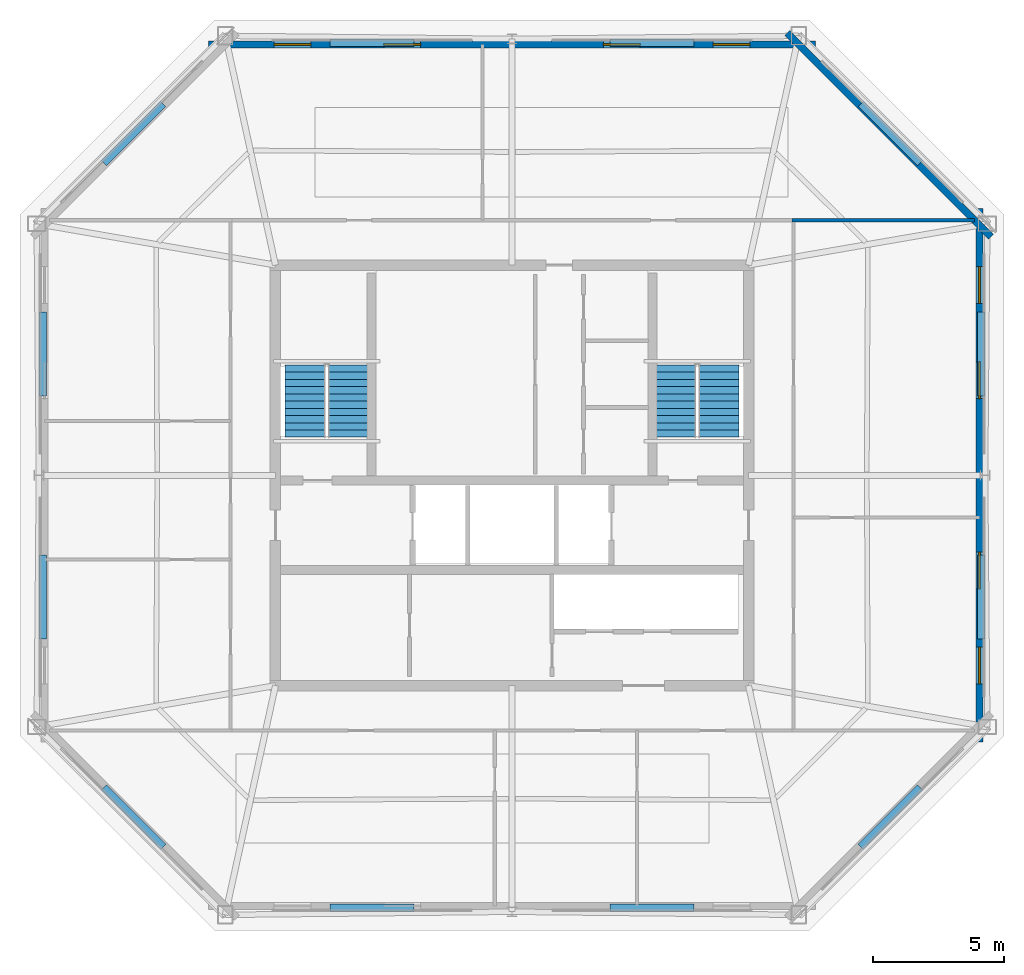
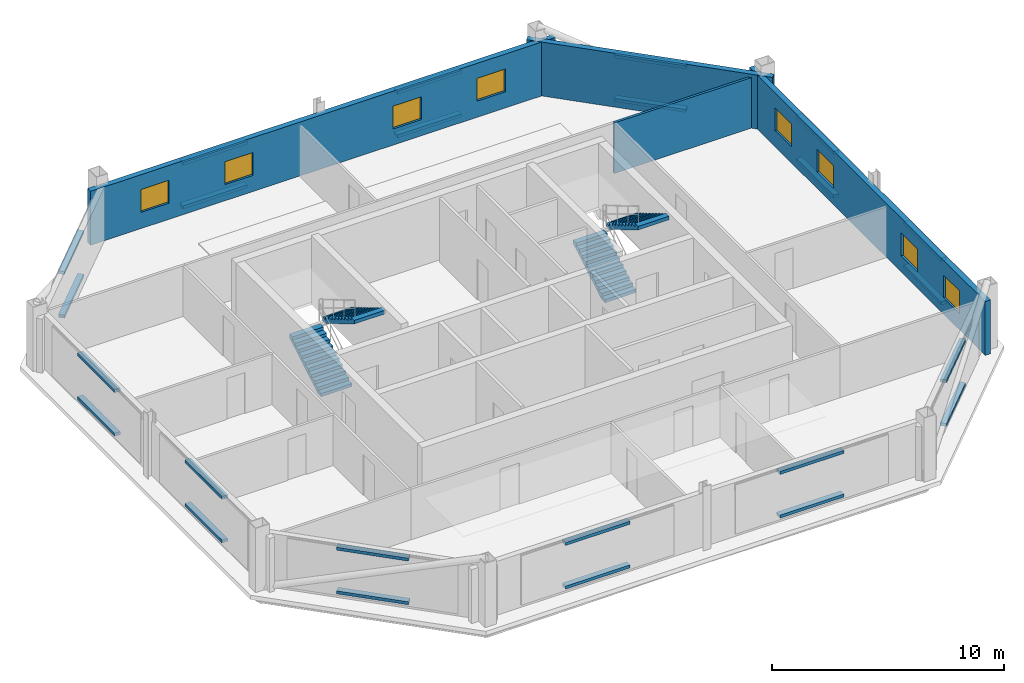
# One storey, part 4 of 6: 24 discrete accessories, 8 windows, 4 stair flights, 4 walls, 8 openings, 2 elements without a shape of their own.
"""IFC4 building model written with IfcOpenShell, lengths in metres."""

from ifc_helpers import new_model, si_unit, direction, frame, frame_2d, origin, origin_2d, place, context, subcontext, project, spatial, polyline, rectangle, outline, extrude, material, layer, layer_set, type_object, element, fill, aggregate, save


model = new_model("IFC4")

# Units and contexts
model_context = context("Model", 3, precision=1e-05, world=origin(), true_north=direction((0.0, 1.0)))
body_context = subcontext(model_context, "Body", "Model", "MODEL_VIEW")
ifc_project = project(units=[si_unit("LENGTHUNIT", "METRE"), si_unit("AREAUNIT", "SQUARE_METRE"), si_unit("VOLUMEUNIT", "CUBIC_METRE"), si_unit("PLANEANGLEUNIT", "RADIAN"), si_unit("MASSUNIT", "GRAM", prefix="KILO")], contexts=[model_context])

# Site, building, storey
site_placement = place(None, origin())
site = spatial("IfcSite", under=ifc_project, at=site_placement, CompositionType="ELEMENT")
building_placement = place(site_placement, origin())
building = spatial("IfcBuilding", under=site, at=building_placement, Name="Caelvoria Tower", CompositionType="ELEMENT")
storey_placement = place(building_placement, frame((0.0, 0.0, 264.60009765625)))
storey = spatial("IfcBuildingStorey", under=building, at=storey_placement, Name="L70", CompositionType="ELEMENT", Elevation=264.60009765625)

# Wall
ifc_material_1 = material(Name="Acoustic Gypsum Board on Light-Gauge Stud", Category="gypsum")
ifc_layer_1 = layer(ifc_material_1, 0.1201171875, Name="Acoustic Gypsum Board on Light-Gauge Stud")
ifc_layer_set_1 = layer_set([ifc_layer_1], Name="Tenant Suite Acoustic Partition Wall 120 - Acoustic Gypsum Board on Light-Gauge Stud")
wall_type_1 = type_object("IfcWallType", Name="Tenant Suite Acoustic Partition Wall 120", PredefinedType="PARTITIONING", material=ifc_layer_set_1)
wall_1_placement = place(storey_placement, frame((56.64990234375, 41.7099609375, 0.0), z_axis=(0.0, 0.0, 1.0), x_axis=(1.0, 0.0, 0.0)))
element("IfcWall", 1, at=wall_1_placement, inside=storey, type_object=wall_type_1, Name="Interior Partition IW-L70-BNE-0", PredefinedType="PARTITIONING", context=body_context, shape_type="SweptSolid", body=[
    extrude(rectangle(XDim=6.9423828125, YDim=0.1201171875, at=frame_2d((3.47119140625, 0.0))), origin(), (0.0, 0.0, 1.0), 2.65478515625),
])

# Wall, openings, windows
ifc_material_2 = material(Name="Precast Concrete C40/50 with Bronze Cladding", Category="concrete")
ifc_layer_2 = layer(ifc_material_2, 0.264892578125, Name="Precast Concrete C40/50 with Bronze Cladding")
ifc_layer_set_2 = layer_set([ifc_layer_2], Name="Upper Taper Precast Concrete C40/50 Bronze Facade Wall 265 - Precast Concrete C40/50 with Bronze Cladding")
wall_type_2 = type_object("IfcWallType", Name="Upper Taper Precast Concrete C40/50 Bronze Facade Wall 265", PredefinedType="STANDARD", material=ifc_layer_set_2)
wall_2_placement = place(storey_placement, frame((63.78271484375, 21.850830078125, 0.0), z_axis=(0.0, 0.0, 1.0), x_axis=(0.0, 1.0, 0.0)))
wall_2 = element("IfcWall", 2, at=wall_2_placement, inside=storey, type_object=wall_type_2, Name="Exterior Facade Wall L70-E2", PredefinedType="STANDARD", context=body_context, shape_type="SweptSolid", body=[
    extrude(rectangle(XDim=20.29833984375, YDim=0.264892578125, at=frame_2d((10.149169921875, 0.0))), origin(), (0.0, 0.0, 1.0), 2.831787109375),
])
opening_1_placement = place(wall_2_placement, frame((2.209716796875, 0.0, 0.85009765625)))
opening_1 = element("IfcOpeningElement", 3, at=opening_1_placement, cuts=wall_2, Name="Opening WN-06", PredefinedType="OPENING", context=body_context, shape_type="SweptSolid", body=[
    extrude(rectangle(XDim=1.39990234375, YDim=1.199951171875, at=frame_2d((0.699951171875, 0.60009765625))), frame((0.0, 0.142333984375, 0.0), z_axis=(0.0, -1.0, 0.0), x_axis=(1.0, 0.0, 0.0)), (0.0, 0.0, 1.0), 0.284912109375),
])
opening_2_placement = place(wall_2_placement, frame((5.82958984375, 0.0, 0.85009765625)))
opening_2 = element("IfcOpeningElement", 4, at=opening_2_placement, cuts=wall_2, Name="Opening WN-06", PredefinedType="OPENING", context=body_context, shape_type="SweptSolid", body=[
    extrude(rectangle(XDim=1.39990234375, YDim=1.199951171875, at=frame_2d((0.699951171875, 0.60009765625))), frame((0.0, 0.142333984375, 0.0), z_axis=(0.0, -1.0, 0.0), x_axis=(1.0, 0.0, 0.0)), (0.0, 0.0, 1.0), 0.284912109375),
])
opening_3_placement = place(wall_2_placement, frame((13.068603515625, 0.0, 0.85009765625)))
opening_3 = element("IfcOpeningElement", 5, at=opening_3_placement, cuts=wall_2, Name="Opening WN-06", PredefinedType="OPENING", context=body_context, shape_type="SweptSolid", body=[
    extrude(rectangle(XDim=1.39990234375, YDim=1.199951171875, at=frame_2d((0.699951171875, 0.60009765625))), frame((0.0, 0.142333984375, 0.0), z_axis=(0.0, -1.0, 0.0), x_axis=(1.0, 0.0, 0.0)), (0.0, 0.0, 1.0), 0.284912109375),
])
opening_4_placement = place(wall_2_placement, frame((16.6884765625, 0.0, 0.85009765625)))
opening_4 = element("IfcOpeningElement", 6, at=opening_4_placement, cuts=wall_2, Name="Opening WN-06", PredefinedType="OPENING", context=body_context, shape_type="SweptSolid", body=[
    extrude(rectangle(XDim=1.39990234375, YDim=1.199951171875, at=frame_2d((0.699951171875, 0.60009765625))), frame((0.0, 0.142333984375, 0.0), z_axis=(0.0, -1.0, 0.0), x_axis=(1.0, 0.0, 0.0)), (0.0, 0.0, 1.0), 0.284912109375),
])
ifc_material_3 = material(Name="Low-E Tinted Glass in Bronze Aluminium Frame", Category="aluminium")
window_type = type_object("IfcWindowType", Name="Podium Clerestory Window 1400x1200", PartitioningType="SINGLE_PANEL", PredefinedType="WINDOW", material=ifc_material_3)
window_1_placement = place(opening_1_placement, origin())
window_1 = element("IfcWindow", 7, at=window_1_placement, inside=storey, type_object=window_type, Name="Facade Window L70-E2-00", OverallHeight=1.199951171875, OverallWidth=1.39990234375, PartitioningType="SINGLE_PANEL", PredefinedType="WINDOW", context=body_context, shape_type="SweptSolid", body=[
    extrude(rectangle(XDim=1.39990234375, YDim=1.199951171875, at=frame_2d((0.699951171875, 0.60009765625))), frame((0.0, 0.030029296875, 0.0), z_axis=(0.0, -1.0, 0.0), x_axis=(1.0, 0.0, 0.0)), (0.0, 0.0, 1.0), 0.06005859375),
])
fill(opening_1, window_1)
window_2_placement = place(opening_2_placement, origin())
window_2 = element("IfcWindow", 8, at=window_2_placement, inside=storey, type_object=window_type, Name="Facade Window L70-E2-01", OverallHeight=1.199951171875, OverallWidth=1.39990234375, PartitioningType="SINGLE_PANEL", PredefinedType="WINDOW", context=body_context, shape_type="SweptSolid", body=[
    extrude(rectangle(XDim=1.39990234375, YDim=1.199951171875, at=frame_2d((0.699951171875, 0.60009765625))), frame((0.0, 0.030029296875, 0.0), z_axis=(0.0, -1.0, 0.0), x_axis=(1.0, 0.0, 0.0)), (0.0, 0.0, 1.0), 0.06005859375),
])
fill(opening_2, window_2)
window_3_placement = place(opening_3_placement, origin())
window_3 = element("IfcWindow", 9, at=window_3_placement, inside=storey, type_object=window_type, Name="Facade Window L70-E2-03", OverallHeight=1.199951171875, OverallWidth=1.39990234375, PartitioningType="SINGLE_PANEL", PredefinedType="WINDOW", context=body_context, shape_type="SweptSolid", body=[
    extrude(rectangle(XDim=1.39990234375, YDim=1.199951171875, at=frame_2d((0.699951171875, 0.60009765625))), frame((0.0, 0.030029296875, 0.0), z_axis=(0.0, -1.0, 0.0), x_axis=(1.0, 0.0, 0.0)), (0.0, 0.0, 1.0), 0.06005859375),
])
fill(opening_3, window_3)
window_4_placement = place(opening_4_placement, origin())
window_4 = element("IfcWindow", 10, at=window_4_placement, inside=storey, type_object=window_type, Name="Facade Window L70-E2-04", OverallHeight=1.199951171875, OverallWidth=1.39990234375, PartitioningType="SINGLE_PANEL", PredefinedType="WINDOW", context=body_context, shape_type="SweptSolid", body=[
    extrude(rectangle(XDim=1.39990234375, YDim=1.199951171875, at=frame_2d((0.699951171875, 0.60009765625))), frame((0.0, 0.030029296875, 0.0), z_axis=(0.0, -1.0, 0.0), x_axis=(1.0, 0.0, 0.0)), (0.0, 0.0, 1.0), 0.06005859375),
])
fill(opening_4, window_4)

# Wall
wall_3_placement = place(storey_placement, frame((64.227783203125, 41.07470703125, 0.0), z_axis=(0.0, 0.0, 1.0), x_axis=(-0.707106781187, 0.707106781187, 0.0)))
element("IfcWall", 11, at=wall_3_placement, inside=storey, type_object=wall_type_2, Name="Exterior Facade Wall L70-E3", PredefinedType="STANDARD", context=body_context, shape_type="SweptSolid", body=[
    extrude(rectangle(XDim=10.970947265625, YDim=0.264892578125, at=frame_2d((5.4853515625, 0.0))), origin(), (0.0, 0.0, 1.0), 2.831787109375),
])

# Wall, openings, windows
wall_4_placement = place(storey_placement, frame((57.54443359375, 48.38720703125, 0.0), z_axis=(0.0, 0.0, 1.0), x_axis=(-1.0, 0.0, 0.0)))
wall_4 = element("IfcWall", 12, at=wall_4_placement, inside=storey, type_object=wall_type_2, Name="Exterior Facade Wall L70-E4", PredefinedType="STANDARD", context=body_context, shape_type="SweptSolid", body=[
    extrude(rectangle(XDim=23.0888671875, YDim=0.264892578125, at=frame_2d((11.54443359375, 0.0))), origin(), (0.0, 0.0, 1.0), 2.831787109375),
])
opening_5_placement = place(wall_4_placement, frame((2.489013671875, 0.0, 0.85009765625)))
opening_5 = element("IfcOpeningElement", 13, at=opening_5_placement, cuts=wall_4, Name="Opening WN-06", PredefinedType="OPENING", context=body_context, shape_type="SweptSolid", body=[
    extrude(rectangle(XDim=1.39990234375, YDim=1.199951171875, at=frame_2d((0.699951171875, 0.60009765625))), frame((0.0, 0.142333984375, 0.0), z_axis=(0.0, -1.0, 0.0), x_axis=(1.0, 0.0, 0.0)), (0.0, 0.0, 1.0), 0.284912109375),
])
opening_6_placement = place(wall_4_placement, frame((6.666748046875, 0.0, 0.85009765625)))
opening_6 = element("IfcOpeningElement", 14, at=opening_6_placement, cuts=wall_4, Name="Opening WN-06", PredefinedType="OPENING", context=body_context, shape_type="SweptSolid", body=[
    extrude(rectangle(XDim=1.39990234375, YDim=1.199951171875, at=frame_2d((0.699951171875, 0.60009765625))), frame((0.0, 0.142333984375, 0.0), z_axis=(0.0, -1.0, 0.0), x_axis=(1.0, 0.0, 0.0)), (0.0, 0.0, 1.0), 0.284912109375),
])
opening_7_placement = place(wall_4_placement, frame((15.022216796875, 0.0, 0.85009765625)))
opening_7 = element("IfcOpeningElement", 15, at=opening_7_placement, cuts=wall_4, Name="Opening WN-06", PredefinedType="OPENING", context=body_context, shape_type="SweptSolid", body=[
    extrude(rectangle(XDim=1.39990234375, YDim=1.199951171875, at=frame_2d((0.699951171875, 0.60009765625))), frame((0.0, 0.142333984375, 0.0), z_axis=(0.0, -1.0, 0.0), x_axis=(1.0, 0.0, 0.0)), (0.0, 0.0, 1.0), 0.284912109375),
])
opening_8_placement = place(wall_4_placement, frame((19.2001953125, 0.0, 0.85009765625)))
opening_8 = element("IfcOpeningElement", 16, at=opening_8_placement, cuts=wall_4, Name="Opening WN-06", PredefinedType="OPENING", context=body_context, shape_type="SweptSolid", body=[
    extrude(rectangle(XDim=1.39990234375, YDim=1.199951171875, at=frame_2d((0.699951171875, 0.60009765625))), frame((0.0, 0.142333984375, 0.0), z_axis=(0.0, -1.0, 0.0), x_axis=(1.0, 0.0, 0.0)), (0.0, 0.0, 1.0), 0.284912109375),
])
window_5_placement = place(opening_5_placement, origin())
window_5 = element("IfcWindow", 17, at=window_5_placement, inside=storey, type_object=window_type, Name="Facade Window L70-E4-00", OverallHeight=1.199951171875, OverallWidth=1.39990234375, PartitioningType="SINGLE_PANEL", PredefinedType="WINDOW", context=body_context, shape_type="SweptSolid", body=[
    extrude(rectangle(XDim=1.39990234375, YDim=1.199951171875, at=frame_2d((0.699951171875, 0.60009765625))), frame((0.0, 0.030029296875, 0.0), z_axis=(0.0, -1.0, 0.0), x_axis=(1.0, 0.0, 0.0)), (0.0, 0.0, 1.0), 0.06005859375),
])
fill(opening_5, window_5)
window_6_placement = place(opening_6_placement, origin())
window_6 = element("IfcWindow", 18, at=window_6_placement, inside=storey, type_object=window_type, Name="Facade Window L70-E4-01", OverallHeight=1.199951171875, OverallWidth=1.39990234375, PartitioningType="SINGLE_PANEL", PredefinedType="WINDOW", context=body_context, shape_type="SweptSolid", body=[
    extrude(rectangle(XDim=1.39990234375, YDim=1.199951171875, at=frame_2d((0.699951171875, 0.60009765625))), frame((0.0, 0.030029296875, 0.0), z_axis=(0.0, -1.0, 0.0), x_axis=(1.0, 0.0, 0.0)), (0.0, 0.0, 1.0), 0.06005859375),
])
fill(opening_6, window_6)
window_7_placement = place(opening_7_placement, origin())
window_7 = element("IfcWindow", 19, at=window_7_placement, inside=storey, type_object=window_type, Name="Facade Window L70-E4-03", OverallHeight=1.199951171875, OverallWidth=1.39990234375, PartitioningType="SINGLE_PANEL", PredefinedType="WINDOW", context=body_context, shape_type="SweptSolid", body=[
    extrude(rectangle(XDim=1.39990234375, YDim=1.199951171875, at=frame_2d((0.699951171875, 0.60009765625))), frame((0.0, 0.030029296875, 0.0), z_axis=(0.0, -1.0, 0.0), x_axis=(1.0, 0.0, 0.0)), (0.0, 0.0, 1.0), 0.06005859375),
])
fill(opening_7, window_7)
window_8_placement = place(opening_8_placement, origin())
window_8 = element("IfcWindow", 20, at=window_8_placement, inside=storey, type_object=window_type, Name="Facade Window L70-E4-04", OverallHeight=1.199951171875, OverallWidth=1.39990234375, PartitioningType="SINGLE_PANEL", PredefinedType="WINDOW", context=body_context, shape_type="SweptSolid", body=[
    extrude(rectangle(XDim=1.39990234375, YDim=1.199951171875, at=frame_2d((0.699951171875, 0.60009765625))), frame((0.0, 0.030029296875, 0.0), z_axis=(0.0, -1.0, 0.0), x_axis=(1.0, 0.0, 0.0)), (0.0, 0.0, 1.0), 0.06005859375),
])
fill(opening_8, window_8)

# Stair, stair flights
ifc_material_4 = material(Name="Concrete C40/50", Category="concrete")
stair_type = type_object("IfcStairType", Name="Core Smokeproof Dogleg Stair Concrete C40/50", PredefinedType="HALF_TURN_STAIR", material=ifc_material_4)
stair_1_placement = place(storey_placement, origin())
stair_1 = element("IfcStair", 21, at=stair_1_placement, inside=storey, type_object=stair_type, Name="ST-01 Smokeproof Exit Stair L70", PredefinedType="HALF_TURN_STAIR")
ifc_material_5 = material(Name="Precast Concrete C40/50", Category="concrete")
stair_flight_type = type_object("IfcStairFlightType", Name="Precast Concrete C40/50 Stair Flight 1480", PredefinedType="STRAIGHT", material=ifc_material_5)
stair_flight_1_placement = place(storey_placement, frame((38.1298828125, 33.449951171875, 0.0), z_axis=(0.0, 0.0, 1.0), x_axis=(0.0, 1.0, 0.0)))
stair_flight_1 = element("IfcStairFlight", 22, at=stair_flight_1_placement, type_object=stair_flight_type, Name="ST-01 flight 1", NumberOfRisers=11, NumberOfTreads=10, PredefinedType="STRAIGHT", RiserHeight=0.1636, TreadLength=0.275, context=body_context, shape_type="SweptSolid", body=[
    extrude(outline(polyline([(0.0, 0.0), (0.0, 0.16357421875), (0.27490234375, 0.16357421875), (0.27490234375, 0.3271484375), (0.550048828125, 0.3271484375), (0.550048828125, 0.49072265625), (0.824951171875, 0.49072265625), (0.824951171875, 0.654296875), (1.10009765625, 0.654296875), (1.10009765625, 0.818115234375), (1.375, 0.818115234375), (1.375, 0.981689453125), (1.64990234375, 0.981689453125), (1.64990234375, 1.145263671875), (1.925048828125, 1.145263671875), (1.925048828125, 1.308837890625), (2.199951171875, 1.308837890625), (2.199951171875, 1.472412109375), (2.47509765625, 1.472412109375), (2.47509765625, 1.635986328125), (2.75, 1.635986328125), (2.75, 1.799560546875), (2.75, 1.449951171875), (0.312744140625, 0.0), (0.0, 0.0)])), frame((0.0, 0.77001953125, 0.0), z_axis=(0.0, -1.0, 0.0), x_axis=(1.0, 0.0, 0.0)), (0.0, 0.0, 1.0), 1.5400390625),
])
stair_flight_2_placement = place(storey_placement, frame((39.77001953125, 36.199951171875, 1.7998046875), z_axis=(0.0, 0.0, 1.0), x_axis=(0.0, -1.0, 0.0)))
stair_flight_2 = element("IfcStairFlight", 23, at=stair_flight_2_placement, type_object=stair_flight_type, Name="ST-01 flight 2", NumberOfRisers=11, NumberOfTreads=10, PredefinedType="STRAIGHT", RiserHeight=0.1636, TreadLength=0.275, context=body_context, shape_type="SweptSolid", body=[
    extrude(outline(polyline([(0.0, 0.0), (0.0, 0.16357421875), (0.27490234375, 0.16357421875), (0.27490234375, 0.3271484375), (0.550048828125, 0.3271484375), (0.550048828125, 0.49072265625), (0.824951171875, 0.49072265625), (0.824951171875, 0.654296875), (1.10009765625, 0.654296875), (1.10009765625, 0.818115234375), (1.375, 0.818115234375), (1.375, 0.981689453125), (1.64990234375, 0.981689453125), (1.64990234375, 1.145263671875), (1.925048828125, 1.145263671875), (1.925048828125, 1.308837890625), (2.199951171875, 1.308837890625), (2.199951171875, 1.472412109375), (2.47509765625, 1.472412109375), (2.47509765625, 1.635986328125), (2.75, 1.635986328125), (2.75, 1.799560546875), (2.75, 1.449951171875), (0.312744140625, 0.0), (0.0, 0.0)])), frame((0.0, 0.77001953125, 0.0), z_axis=(0.0, -1.0, 0.0), x_axis=(1.0, 0.0, 0.0)), (0.0, 0.0, 1.0), 1.5400390625),
])
aggregate(stair_1, [stair_flight_1, stair_flight_2])

stair_2_placement = place(storey_placement, origin())
stair_2 = element("IfcStair", 24, at=stair_2_placement, inside=storey, type_object=stair_type, Name="ST-02 Smokeproof Exit Stair L70", PredefinedType="HALF_TURN_STAIR")
stair_flight_3_placement = place(storey_placement, frame((52.22998046875, 33.449951171875, 0.0), z_axis=(0.0, 0.0, 1.0), x_axis=(0.0, 1.0, 0.0)))
stair_flight_3 = element("IfcStairFlight", 25, at=stair_flight_3_placement, type_object=stair_flight_type, Name="ST-02 flight 1", NumberOfRisers=11, NumberOfTreads=10, PredefinedType="STRAIGHT", RiserHeight=0.1636, TreadLength=0.275, context=body_context, shape_type="SweptSolid", body=[
    extrude(outline(polyline([(0.0, 0.0), (0.0, 0.16357421875), (0.27490234375, 0.16357421875), (0.27490234375, 0.3271484375), (0.550048828125, 0.3271484375), (0.550048828125, 0.49072265625), (0.824951171875, 0.49072265625), (0.824951171875, 0.654296875), (1.10009765625, 0.654296875), (1.10009765625, 0.818115234375), (1.375, 0.818115234375), (1.375, 0.981689453125), (1.64990234375, 0.981689453125), (1.64990234375, 1.145263671875), (1.925048828125, 1.145263671875), (1.925048828125, 1.308837890625), (2.199951171875, 1.308837890625), (2.199951171875, 1.472412109375), (2.47509765625, 1.472412109375), (2.47509765625, 1.635986328125), (2.75, 1.635986328125), (2.75, 1.799560546875), (2.75, 1.449951171875), (0.312744140625, 0.0), (0.0, 0.0)])), frame((0.0, 0.77001953125, 0.0), z_axis=(0.0, -1.0, 0.0), x_axis=(1.0, 0.0, 0.0)), (0.0, 0.0, 1.0), 1.5400390625),
])
stair_flight_4_placement = place(storey_placement, frame((53.8701171875, 36.199951171875, 1.7998046875), z_axis=(0.0, 0.0, 1.0), x_axis=(0.0, -1.0, 0.0)))
stair_flight_4 = element("IfcStairFlight", 26, at=stair_flight_4_placement, type_object=stair_flight_type, Name="ST-02 flight 2", NumberOfRisers=11, NumberOfTreads=10, PredefinedType="STRAIGHT", RiserHeight=0.1636, TreadLength=0.275, context=body_context, shape_type="SweptSolid", body=[
    extrude(outline(polyline([(0.0, 0.0), (0.0, 0.16357421875), (0.27490234375, 0.16357421875), (0.27490234375, 0.3271484375), (0.550048828125, 0.3271484375), (0.550048828125, 0.49072265625), (0.824951171875, 0.49072265625), (0.824951171875, 0.654296875), (1.10009765625, 0.654296875), (1.10009765625, 0.818115234375), (1.375, 0.818115234375), (1.375, 0.981689453125), (1.64990234375, 0.981689453125), (1.64990234375, 1.145263671875), (1.925048828125, 1.145263671875), (1.925048828125, 1.308837890625), (2.199951171875, 1.308837890625), (2.199951171875, 1.472412109375), (2.47509765625, 1.472412109375), (2.47509765625, 1.635986328125), (2.75, 1.635986328125), (2.75, 1.799560546875), (2.75, 1.449951171875), (0.312744140625, 0.0), (0.0, 0.0)])), frame((0.0, 0.77001953125, 0.0), z_axis=(0.0, -1.0, 0.0), x_axis=(1.0, 0.0, 0.0)), (0.0, 0.0, 1.0), 1.5400390625),
])
aggregate(stair_2, [stair_flight_3, stair_flight_4])

# Discrete accessories
ifc_material_6 = material(Name="Anodised Bronze Stainless Bracket", Category="bronze")
discrete_accessory_type = type_object("IfcDiscreteAccessoryType", Name="Solar Screen Outrigger Support Bracket", PredefinedType="BRACKET", material=ifc_material_6)
for number, where, z_axis, x_axis, name in (
    (27, (40.677734375, 15.539794921875, 0.23974609375), (0.0, 0.0, 1.0), (1.0, 0.0, 0.0), "Solar Screen Bracket L70-E0-00"),
    (28, (40.677734375, 15.539794921875, 2.53173828125), (0.0, 0.0, 1.0), (1.0, 0.0, 0.0), "Upper Screen Band Bracket L70-E0-00"),
    (29, (51.322265625, 15.539794921875, 0.23974609375), (0.0, 0.0, 1.0), (1.0, 0.0, 0.0), "Solar Screen Bracket L70-E0-01"),
    (30, (51.322265625, 15.539794921875, 2.53173828125), (0.0, 0.0, 1.0), (1.0, 0.0, 0.0), "Upper Screen Band Bracket L70-E0-01"),
    (31, (60.400390625, 18.9951171875, 0.23974609375), (0.0, 0.0, 1.0), (0.707106781187, 0.707106781187, 0.0), "Solar Screen Bracket L70-E1-00"),
    (32, (60.400390625, 18.9951171875, 2.53173828125), (0.0, 0.0, 1.0), (0.707106781187, 0.707106781187, 0.0), "Upper Screen Band Bracket L70-E1-00"),
    (33, (63.855712890625, 27.37548828125, 0.23974609375), (0.0, 0.0, 1.0), (0.0, 1.0, 0.0), "Solar Screen Bracket L70-E2-00"),
    (34, (63.855712890625, 27.37548828125, 2.53173828125), (0.0, 0.0, 1.0), (0.0, 1.0, 0.0), "Upper Screen Band Bracket L70-E2-00"),
    (35, (63.855712890625, 36.62451171875, 0.23974609375), (0.0, 0.0, 1.0), (0.0, 1.0, 0.0), "Solar Screen Bracket L70-E2-01"),
    (36, (63.855712890625, 36.62451171875, 2.53173828125), (0.0, 0.0, 1.0), (0.0, 1.0, 0.0), "Upper Screen Band Bracket L70-E2-01"),
    (37, (60.400390625, 45.0048828125, 0.23974609375), (0.0, 0.0, 1.0), (-0.707106781187, 0.707106781187, 0.0), "Solar Screen Bracket L70-E3-00"),
    (38, (60.400390625, 45.0048828125, 2.53173828125), (0.0, 0.0, 1.0), (-0.707106781187, 0.707106781187, 0.0), "Upper Screen Band Bracket L70-E3-00"),
    (39, (51.322265625, 48.460205078125, 0.23974609375), (0.0, 0.0, 1.0), (-1.0, 0.0, 0.0), "Solar Screen Bracket L70-E4-00"),
    (40, (51.322265625, 48.460205078125, 2.53173828125), (0.0, 0.0, 1.0), (-1.0, 0.0, 0.0), "Upper Screen Band Bracket L70-E4-00"),
    (41, (40.677734375, 48.460205078125, 0.23974609375), (0.0, 0.0, 1.0), (-1.0, 0.0, 0.0), "Solar Screen Bracket L70-E4-01"),
    (42, (40.677734375, 48.460205078125, 2.53173828125), (0.0, 0.0, 1.0), (-1.0, 0.0, 0.0), "Upper Screen Band Bracket L70-E4-01"),
    (43, (31.599609375, 45.0048828125, 0.23974609375), (0.0, 0.0, 1.0), (-0.707106781187, -0.707106781187, 0.0), "Solar Screen Bracket L70-E5-00"),
    (44, (31.599609375, 45.0048828125, 2.53173828125), (0.0, 0.0, 1.0), (-0.707106781187, -0.707106781187, 0.0), "Upper Screen Band Bracket L70-E5-00"),
    (45, (28.144287109375, 36.62451171875, 0.23974609375), (0.0, 0.0, 1.0), (0.0, -1.0, 0.0), "Solar Screen Bracket L70-E6-00"),
    (46, (28.144287109375, 36.62451171875, 2.53173828125), (0.0, 0.0, 1.0), (0.0, -1.0, 0.0), "Upper Screen Band Bracket L70-E6-00"),
    (47, (28.144287109375, 27.37548828125, 0.23974609375), (0.0, 0.0, 1.0), (0.0, -1.0, 0.0), "Solar Screen Bracket L70-E6-01"),
    (48, (28.144287109375, 27.37548828125, 2.53173828125), (0.0, 0.0, 1.0), (0.0, -1.0, 0.0), "Upper Screen Band Bracket L70-E6-01"),
    (49, (31.599609375, 18.9951171875, 0.23974609375), (0.0, 0.0, 1.0), (0.707106781187, -0.707106781187, 0.0), "Solar Screen Bracket L70-E7-00"),
    (50, (31.599609375, 18.9951171875, 2.53173828125), (0.0, 0.0, 1.0), (0.707106781187, -0.707106781187, 0.0), "Upper Screen Band Bracket L70-E7-00"),
):
    element("IfcDiscreteAccessory", number, at=place(storey_placement, frame(where, z_axis=z_axis, x_axis=x_axis)), inside=storey, type_object=discrete_accessory_type, Name=name, PredefinedType="BRACKET", context=body_context, shape_type="SweptSolid", body=[
        extrude(rectangle(XDim=3.199951171875, YDim=0.280029296875, at=origin_2d()), origin(), (0.0, 0.0, 1.0), 0.159912109375),
    ])

save(model, "model.ifc")
